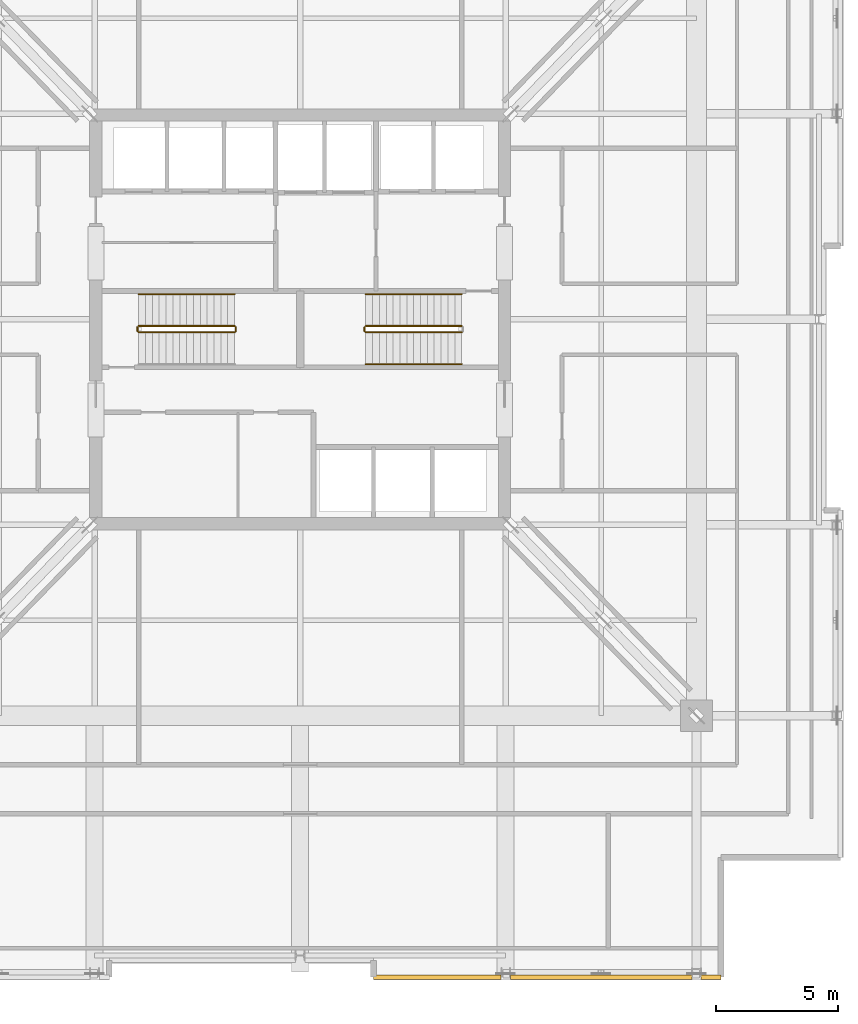
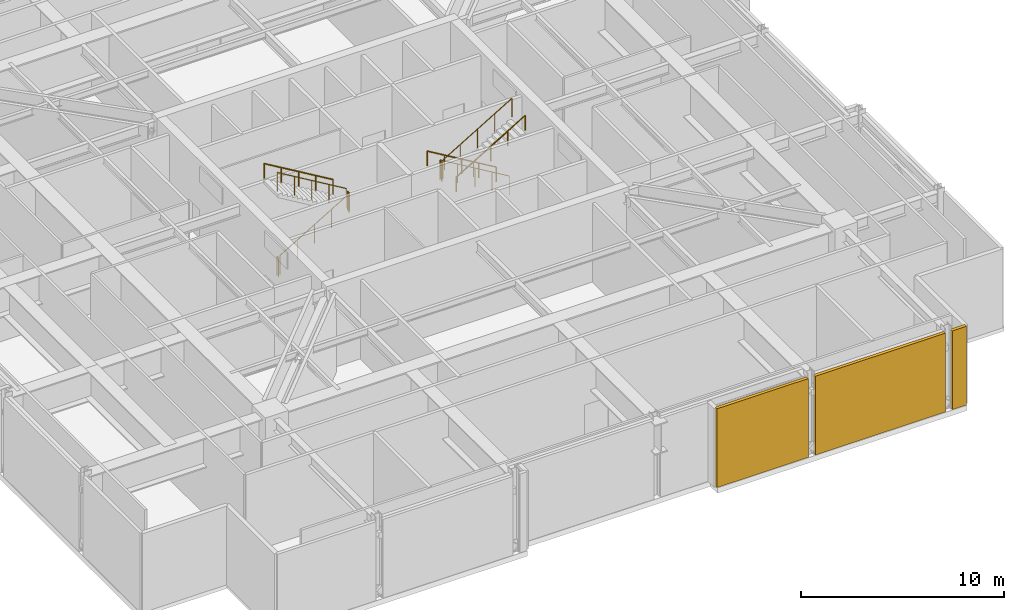
# One storey, part 11 of 13: 10 railings, 3 shading devices.
"""IFC4 building model written with IfcOpenShell, lengths in metres."""

from ifc_helpers import new_model, si_unit, direction, frame, origin, origin_2d, place, context, subcontext, project, spatial, rectangle, circle, extrude, material, layer, layer_set, type_object, element, save


model = new_model("IFC4")

# Units and contexts
model_context = context("Model", 3, precision=1e-05, world=origin(), true_north=direction((0.0, 1.0)))
body_context = subcontext(model_context, "Body", "Model", "MODEL_VIEW")
ifc_project = project(units=[si_unit("LENGTHUNIT", "METRE"), si_unit("AREAUNIT", "SQUARE_METRE"), si_unit("VOLUMEUNIT", "CUBIC_METRE"), si_unit("PLANEANGLEUNIT", "RADIAN"), si_unit("MASSUNIT", "GRAM", prefix="KILO")], contexts=[model_context])

# Site, building, storey
site_placement = place(None, origin())
site = spatial("IfcSite", under=ifc_project, at=site_placement, CompositionType="ELEMENT")
building_placement = place(site_placement, origin())
building = spatial("IfcBuilding", under=site, at=building_placement, Name="Drelvath Grand Hotel", CompositionType="ELEMENT")
storey_placement = place(building_placement, frame((0.0, 0.0, 200.10009765625)))
storey = spatial("IfcBuildingStorey", under=building, at=storey_placement, Name="L52", CompositionType="ELEMENT", Elevation=200.10009765625)

# Railings
ifc_material_1 = material(Name="Painted Steel S275", Category="steel")
railing_type_1 = type_object("IfcRailingType", Name="Core Stair Wall Handrail 900", PredefinedType="HANDRAIL", material=ifc_material_1)
for number, where, name in (
    (1, (-2.679931640625, 28.030029296875, 2.66650390625), "L52 ST-1 stair handrail 2"),
    (2, (6.60009765625, 28.030029296875, 0.16650390625), "L52 ST-2 stair handrail 1"),
):
    element("IfcRailing", number, at=place(storey_placement, frame(where)), inside=storey, type_object=railing_type_1, Name=name, PredefinedType="HANDRAIL", context=body_context, shape_type="SweptSolid", body=[
        extrude(circle(Radius=0.02392578125, at=origin_2d()), frame((0.0, 0.0, 0.8759765625), z_axis=(-0.859286724212, 0.0, 0.511494208758), x_axis=(0.0, -1.0, 0.0)), (0.0, 0.0, 1.0), 4.56201171875),
        extrude(circle(Radius=0.02099609375, at=origin_2d()), origin(), (0.0, 0.0, 1.0), 0.851806640625),
        extrude(circle(Radius=0.02099609375, at=origin_2d()), frame((-0.97998046875, 0.0, 0.58349609375)), (0.0, 0.0, 1.0), 0.851806640625),
        extrude(circle(Radius=0.02099609375, at=origin_2d()), frame((-1.9599609375, 0.0, 1.166748046875)), (0.0, 0.0, 1.0), 0.851806640625),
        extrude(circle(Radius=0.02099609375, at=origin_2d()), frame((-2.940185546875, 0.0, 1.75)), (0.0, 0.0, 1.0), 0.851806640625),
        extrude(circle(Radius=0.02099609375, at=origin_2d()), frame((-3.920166015625, 0.0, 2.33349609375)), (0.0, 0.0, 1.0), 0.851806640625),
    ])
railing_1_placement = place(storey_placement, frame((2.679931640625, 25.169921875, 2.66650390625)))
element("IfcRailing", 3, at=railing_1_placement, inside=storey, type_object=railing_type_1, Name="L52 ST-2 stair handrail 2", PredefinedType="HANDRAIL", context=body_context, shape_type="SweptSolid", body=[
    extrude(circle(Radius=0.02392578125, at=origin_2d()), frame((0.0, 0.0, 0.8759765625), z_axis=(0.859286724212, 0.0, 0.511494208758), x_axis=(0.0, 1.0, 0.0)), (0.0, 0.0, 1.0), 4.56201171875),
    extrude(circle(Radius=0.02099609375, at=origin_2d()), origin(), (0.0, 0.0, 1.0), 0.851806640625),
    extrude(circle(Radius=0.02099609375, at=origin_2d()), frame((0.97998046875, 0.0, 0.58349609375)), (0.0, 0.0, 1.0), 0.851806640625),
    extrude(circle(Radius=0.02099609375, at=origin_2d()), frame((1.9599609375, 0.0, 1.166748046875)), (0.0, 0.0, 1.0), 0.851806640625),
    extrude(circle(Radius=0.02099609375, at=origin_2d()), frame((2.940185546875, 0.0, 1.75)), (0.0, 0.0, 1.0), 0.851806640625),
    extrude(circle(Radius=0.02099609375, at=origin_2d()), frame((3.920166015625, 0.0, 2.33349609375)), (0.0, 0.0, 1.0), 0.851806640625),
])
railing_type_2 = type_object("IfcRailingType", Name="Core Stair Well Guardrail 1100", PredefinedType="GUARDRAIL", material=ifc_material_1)
railing_2_placement = place(storey_placement, frame((-6.60009765625, 26.469970703125, 0.16650390625)))
element("IfcRailing", 4, at=railing_2_placement, inside=storey, type_object=railing_type_2, Name="L52 ST-1 stair guard 1", PredefinedType="GUARDRAIL", context=body_context, shape_type="SweptSolid", body=[
    extrude(circle(Radius=0.02392578125, at=origin_2d()), frame((0.0, 0.0, 1.1259765625), z_axis=(0.859286724212, 0.0, 0.511494208758), x_axis=(0.0, 1.0, 0.0)), (0.0, 0.0, 1.0), 4.56201171875),
    extrude(circle(Radius=0.02099609375, at=origin_2d()), origin(), (0.0, 0.0, 1.0), 1.101806640625),
    extrude(circle(Radius=0.02099609375, at=origin_2d()), frame((0.97998046875, 0.0, 0.58349609375)), (0.0, 0.0, 1.0), 1.101806640625),
    extrude(circle(Radius=0.02099609375, at=origin_2d()), frame((1.9599609375, 0.0, 1.166748046875)), (0.0, 0.0, 1.0), 1.101806640625),
    extrude(circle(Radius=0.02099609375, at=origin_2d()), frame((2.940185546875, 0.0, 1.75)), (0.0, 0.0, 1.0), 1.101806640625),
    extrude(circle(Radius=0.02099609375, at=origin_2d()), frame((3.920166015625, 0.0, 2.33349609375)), (0.0, 0.0, 1.0), 1.101806640625),
])
railing_3_placement = place(storey_placement, frame((-2.6298828125, 26.52001953125, 2.5)))
element("IfcRailing", 5, at=railing_3_placement, inside=storey, type_object=railing_type_2, Name="L52 ST-1 stair guard 2", PredefinedType="GUARDRAIL", context=body_context, shape_type="SweptSolid", body=[
    extrude(circle(Radius=0.02392578125, at=origin_2d()), frame((0.0, 0.0, 1.1259765625), z_axis=(0.0, 1.0, 0.0), x_axis=(-1.0, 0.0, 0.0)), (0.0, 0.0, 1.0), 0.159912109375),
    extrude(circle(Radius=0.02099609375, at=origin_2d()), origin(), (0.0, 0.0, 1.0), 1.101806640625),
    extrude(circle(Radius=0.02099609375, at=origin_2d()), frame((0.0, 0.159912109375, 0.0)), (0.0, 0.0, 1.0), 1.101806640625),
])
railing_4_placement = place(storey_placement, frame((-2.679931640625, 26.72998046875, 2.66650390625)))
element("IfcRailing", 6, at=railing_4_placement, inside=storey, type_object=railing_type_2, Name="L52 ST-1 stair guard 3", PredefinedType="GUARDRAIL", context=body_context, shape_type="SweptSolid", body=[
    extrude(circle(Radius=0.02392578125, at=origin_2d()), frame((0.0, 0.0, 1.1259765625), z_axis=(-0.859286724212, 0.0, 0.511494208758), x_axis=(0.0, -1.0, 0.0)), (0.0, 0.0, 1.0), 4.56201171875),
    extrude(circle(Radius=0.02099609375, at=origin_2d()), origin(), (0.0, 0.0, 1.0), 1.101806640625),
    extrude(circle(Radius=0.02099609375, at=origin_2d()), frame((-0.97998046875, 0.0, 0.58349609375)), (0.0, 0.0, 1.0), 1.101806640625),
    extrude(circle(Radius=0.02099609375, at=origin_2d()), frame((-1.9599609375, 0.0, 1.166748046875)), (0.0, 0.0, 1.0), 1.101806640625),
    extrude(circle(Radius=0.02099609375, at=origin_2d()), frame((-2.940185546875, 0.0, 1.75)), (0.0, 0.0, 1.0), 1.101806640625),
    extrude(circle(Radius=0.02099609375, at=origin_2d()), frame((-3.920166015625, 0.0, 2.33349609375)), (0.0, 0.0, 1.0), 1.101806640625),
])
railing_5_placement = place(storey_placement, frame((-6.64990234375, 26.52001953125, 0.0)))
element("IfcRailing", 7, at=railing_5_placement, inside=storey, type_object=railing_type_2, Name="L52 ST-1 stair guard 4", PredefinedType="GUARDRAIL", context=body_context, shape_type="SweptSolid", body=[
    extrude(circle(Radius=0.02392578125, at=origin_2d()), frame((0.0, 0.0, 1.1259765625), z_axis=(0.0, 1.0, 0.0), x_axis=(-1.0, 0.0, 0.0)), (0.0, 0.0, 1.0), 0.159912109375),
    extrude(circle(Radius=0.02099609375, at=origin_2d()), origin(), (0.0, 0.0, 1.0), 1.101806640625),
    extrude(circle(Radius=0.02099609375, at=origin_2d()), frame((0.0, 0.159912109375, 0.0)), (0.0, 0.0, 1.0), 1.101806640625),
])
railing_6_placement = place(storey_placement, frame((6.60009765625, 26.72998046875, 0.16650390625)))
element("IfcRailing", 8, at=railing_6_placement, inside=storey, type_object=railing_type_2, Name="L52 ST-2 stair guard 1", PredefinedType="GUARDRAIL", context=body_context, shape_type="SweptSolid", body=[
    extrude(circle(Radius=0.02392578125, at=origin_2d()), frame((0.0, 0.0, 1.1259765625), z_axis=(-0.859286724212, 0.0, 0.511494208758), x_axis=(0.0, -1.0, 0.0)), (0.0, 0.0, 1.0), 4.56201171875),
    extrude(circle(Radius=0.02099609375, at=origin_2d()), origin(), (0.0, 0.0, 1.0), 1.101806640625),
    extrude(circle(Radius=0.02099609375, at=origin_2d()), frame((-0.97998046875, 0.0, 0.58349609375)), (0.0, 0.0, 1.0), 1.101806640625),
    extrude(circle(Radius=0.02099609375, at=origin_2d()), frame((-1.9599609375, 0.0, 1.166748046875)), (0.0, 0.0, 1.0), 1.101806640625),
    extrude(circle(Radius=0.02099609375, at=origin_2d()), frame((-2.940185546875, 0.0, 1.75)), (0.0, 0.0, 1.0), 1.101806640625),
    extrude(circle(Radius=0.02099609375, at=origin_2d()), frame((-3.920166015625, 0.0, 2.33349609375)), (0.0, 0.0, 1.0), 1.101806640625),
])
railing_7_placement = place(storey_placement, frame((2.6298828125, 26.679931640625, 2.5)))
element("IfcRailing", 9, at=railing_7_placement, inside=storey, type_object=railing_type_2, Name="L52 ST-2 stair guard 2", PredefinedType="GUARDRAIL", context=body_context, shape_type="SweptSolid", body=[
    extrude(circle(Radius=0.02392578125, at=origin_2d()), frame((0.0, 0.0, 1.1259765625), z_axis=(0.0, -1.0, 0.0), x_axis=(1.0, 0.0, 0.0)), (0.0, 0.0, 1.0), 0.159912109375),
    extrude(circle(Radius=0.02099609375, at=origin_2d()), origin(), (0.0, 0.0, 1.0), 1.101806640625),
    extrude(circle(Radius=0.02099609375, at=origin_2d()), frame((0.0, -0.159912109375, 0.0)), (0.0, 0.0, 1.0), 1.101806640625),
])
railing_8_placement = place(storey_placement, frame((2.679931640625, 26.469970703125, 2.66650390625)))
element("IfcRailing", 10, at=railing_8_placement, inside=storey, type_object=railing_type_2, Name="L52 ST-2 stair guard 3", PredefinedType="GUARDRAIL", context=body_context, shape_type="SweptSolid", body=[
    extrude(circle(Radius=0.02392578125, at=origin_2d()), frame((0.0, 0.0, 1.1259765625), z_axis=(0.859286724212, 0.0, 0.511494208758), x_axis=(0.0, 1.0, 0.0)), (0.0, 0.0, 1.0), 4.56201171875),
    extrude(circle(Radius=0.02099609375, at=origin_2d()), origin(), (0.0, 0.0, 1.0), 1.101806640625),
    extrude(circle(Radius=0.02099609375, at=origin_2d()), frame((0.97998046875, 0.0, 0.58349609375)), (0.0, 0.0, 1.0), 1.101806640625),
    extrude(circle(Radius=0.02099609375, at=origin_2d()), frame((1.9599609375, 0.0, 1.166748046875)), (0.0, 0.0, 1.0), 1.101806640625),
    extrude(circle(Radius=0.02099609375, at=origin_2d()), frame((2.940185546875, 0.0, 1.75)), (0.0, 0.0, 1.0), 1.101806640625),
    extrude(circle(Radius=0.02099609375, at=origin_2d()), frame((3.920166015625, 0.0, 2.33349609375)), (0.0, 0.0, 1.0), 1.101806640625),
])

# Shading devices
ifc_material_2 = material(Name="Pale-Metal Anodised Aluminium Louvre", Category="aluminium")
ifc_layer = layer(ifc_material_2, 0.179931640625)
ifc_layer_set = layer_set([ifc_layer], Name="Pale-Metal Anodised Aluminium Louvre")
shading_device_type = type_object("IfcShadingDeviceType", Name="Mechanical Acoustic Weather Louvre Pale-Metal 180", PredefinedType="USERDEFINED", material=ifc_layer_set)
shading_device_1_placement = place(storey_placement, frame((5.60400390625, 0.1201171875, 0.0), z_axis=(0.0, 0.0, 1.0), x_axis=(1.0, 0.0, 0.0)))
element("IfcShadingDevice", 11, at=shading_device_1_placement, inside=storey, type_object=shading_device_type, Name="L52 Mechanical Plant Acoustic Louvre SE-1", ObjectType="LOUVRE", PredefinedType="USERDEFINED", context=body_context, shape_type="SweptSolid", body=[
    extrude(rectangle(XDim=5.208251953125, YDim=0.179931640625, at=origin_2d()), origin(), (0.0, 0.0, 1.0), 4.739990234375),
])
shading_device_2_placement = place(storey_placement, frame((12.300048828125, 0.1201171875, 0.0), z_axis=(0.0, 0.0, 1.0), x_axis=(1.0, 0.0, 0.0)))
element("IfcShadingDevice", 12, at=shading_device_2_placement, inside=storey, type_object=shading_device_type, Name="L52 Mechanical Plant Acoustic Louvre SE-2", ObjectType="LOUVRE", PredefinedType="USERDEFINED", context=body_context, shape_type="SweptSolid", body=[
    extrude(rectangle(XDim=7.416748046875, YDim=0.179931640625, at=origin_2d()), origin(), (0.0, 0.0, 1.0), 4.739990234375),
])
shading_device_3_placement = place(storey_placement, frame((16.7958984375, 0.1201171875, 0.0), z_axis=(0.0, 0.0, 1.0), x_axis=(1.0, 0.0, 0.0)))
element("IfcShadingDevice", 13, at=shading_device_3_placement, inside=storey, type_object=shading_device_type, Name="L52 Mechanical Plant Acoustic Louvre SE-3", ObjectType="LOUVRE", PredefinedType="USERDEFINED", context=body_context, shape_type="SweptSolid", body=[
    extrude(rectangle(XDim=0.808349609375, YDim=0.179931640625, at=origin_2d()), origin(), (0.0, 0.0, 1.0), 4.739990234375),
])

save(model, "model.ifc")
